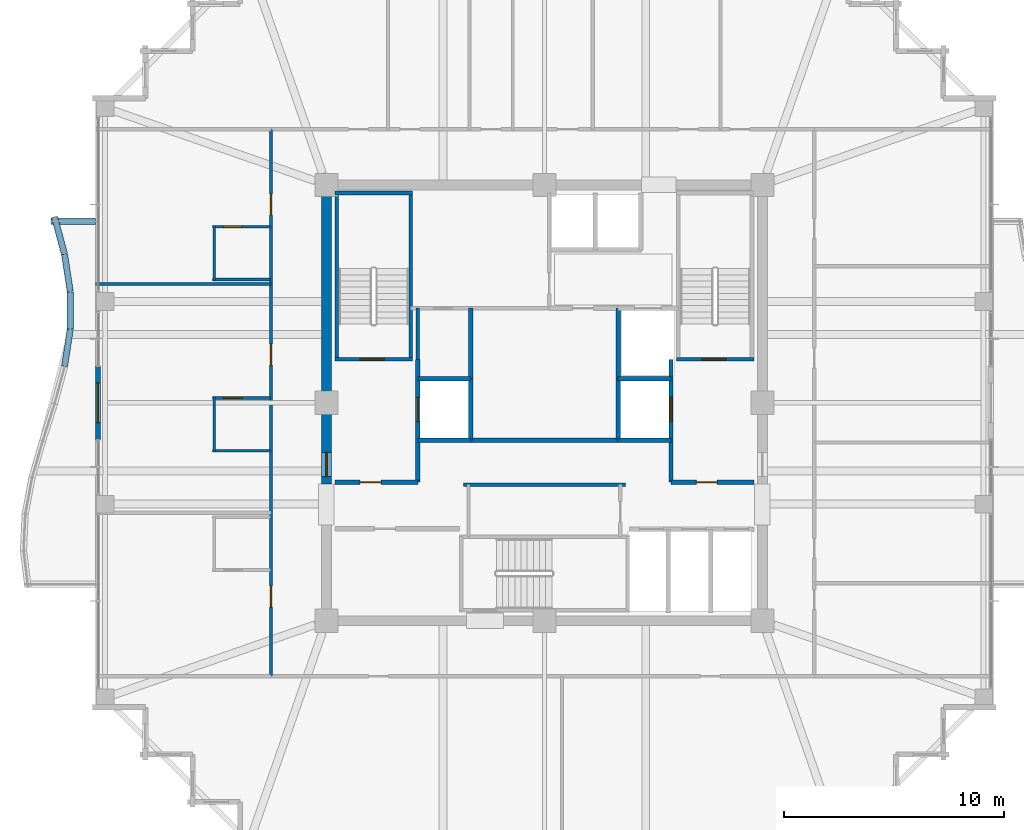
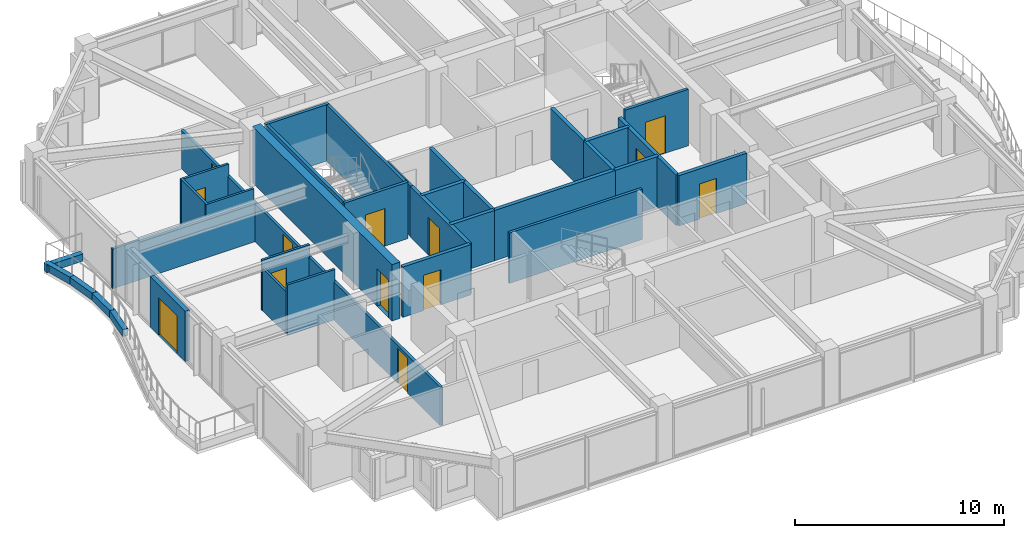
# One storey, part 29 of 34: 35 walls, 13 doors, 13 openings.
"""IFC4 building model written with IfcOpenShell, lengths in metres."""

from ifc_helpers import new_model, si_unit, direction, frame, frame_2d, origin, place, context, subcontext, project, spatial, rectangle, extrude, material, layer, layer_set, type_object, element, fill, save


model = new_model("IFC4")

# Units and contexts
model_context = context("Model", 3, precision=1e-05, world=origin(), true_north=direction((0.0, 1.0)))
body_context = subcontext(model_context, "Body", "Model", "MODEL_VIEW")
ifc_project = project(units=[si_unit("LENGTHUNIT", "METRE"), si_unit("AREAUNIT", "SQUARE_METRE"), si_unit("VOLUMEUNIT", "CUBIC_METRE"), si_unit("PLANEANGLEUNIT", "RADIAN"), si_unit("MASSUNIT", "GRAM", prefix="KILO")], contexts=[model_context])

# Site, building, storey
site_placement = place(None, origin())
site = spatial("IfcSite", under=ifc_project, at=site_placement, CompositionType="ELEMENT")
building_placement = place(site_placement, origin())
building = spatial("IfcBuilding", under=site, at=building_placement, Name="Kolvaren Belvedere", CompositionType="ELEMENT")
storey_placement = place(building_placement, frame((0.0, 0.0, 229.5)))
storey = spatial("IfcBuildingStorey", under=building, at=storey_placement, Name="L67", CompositionType="ELEMENT", Elevation=229.5)

# Wall, opening, door
ifc_material_1 = material(Name="Concrete C50/60", Category="concrete")
ifc_layer_1 = layer(ifc_material_1, 0.449951171875)
ifc_layer_set_1 = layer_set([ifc_layer_1], Name="Concrete C50/60")
wall_type_1 = type_object("IfcWallType", Name="CW-CORE-450", PredefinedType="SHEAR", material=ifc_layer_set_1)
wall_1_placement = place(storey_placement, frame((-9.89990234375, -3.699951171875, 0.0), z_axis=(0.0, 0.0, 1.0), x_axis=(0.0, 1.0, 0.0)))
wall_1 = element("IfcWall", 1, at=wall_1_placement, inside=storey, type_object=wall_type_1, Name="L67 West Core Shear Wall 2", PredefinedType="SHEAR", context=body_context, shape_type="SweptSolid", body=[
    extrude(rectangle(XDim=13.375, YDim=0.449951171875, at=frame_2d((6.6875, 0.0))), origin(), (0.0, 0.0, 1.0), 3.300048828125),
])
opening_1_placement = place(wall_1_placement, frame((0.35009765625, 0.0, 0.0)))
opening_1 = element("IfcOpeningElement", 2, at=opening_1_placement, cuts=wall_1, Name="Opening D-FD90", PredefinedType="OPENING", context=body_context, shape_type="SweptSolid", body=[
    extrude(rectangle(XDim=1.10009765625, YDim=2.199951171875, at=frame_2d((0.550048828125, 1.10009765625))), frame((0.0, 0.23486328125, 0.0), z_axis=(0.0, -1.0, 0.0), x_axis=(1.0, 0.0, 0.0)), (0.0, 0.0, 1.0), 0.469970703125),
])
ifc_material_2 = material(Name="Painted hollow stainless steel", Category="steel")
door_type_1 = type_object("IfcDoorType", Name="DR-FD90-1100", OperationType="NOTDEFINED", PredefinedType="DOOR", material=ifc_material_2)
door_1_placement = place(opening_1_placement, origin())
door_1 = element("IfcDoor", 3, at=door_1_placement, inside=storey, type_object=door_type_1, Name="L67 West Firefighting Lobby Fire Door", OperationType="SINGLE_SWING_LEFT", OverallHeight=2.199951171875, OverallWidth=1.10009765625, PredefinedType="DOOR", context=body_context, shape_type="SweptSolid", body=[
    extrude(rectangle(XDim=1.10009765625, YDim=2.199951171875, at=frame_2d((0.550048828125, 1.10009765625))), frame((0.0, 0.02490234375, 0.0), z_axis=(0.0, -1.0, 0.0), x_axis=(1.0, 0.0, 0.0)), (0.0, 0.0, 1.0), 0.050048828125),
])
fill(opening_1, door_1)

ifc_material_3 = material(Name="Concrete C50/60", Category="concrete")
ifc_layer_2 = layer(ifc_material_3, 0.159912109375)
ifc_layer_set_2 = layer_set([ifc_layer_2], Name="Concrete C50/60")
wall_type_2 = type_object("IfcWallType", Name="CW-STAIR-160", PredefinedType="SHEAR", material=ifc_layer_set_2)
wall_2_placement = place(storey_placement, frame((-9.52001953125, 1.969970703125, 0.0), z_axis=(0.0, 0.0, 1.0), x_axis=(1.0, 0.0, 0.0)))
wall_2 = element("IfcWall", 4, at=wall_2_placement, inside=storey, type_object=wall_type_2, Name="L67 Stair ST-1 South Shear Wall", PredefinedType="SHEAR", context=body_context, shape_type="SweptSolid", body=[
    extrude(rectangle(XDim=3.52001953125, YDim=0.159912109375, at=frame_2d((1.760009765625, 0.0))), origin(), (0.0, 0.0, 1.0), 3.300048828125),
])
opening_2_placement = place(wall_2_placement, frame((1.14990234375, 0.0, 0.0)))
opening_2 = element("IfcOpeningElement", 5, at=opening_2_placement, cuts=wall_2, Name="Opening D-FD90", PredefinedType="OPENING", context=body_context, shape_type="SweptSolid", body=[
    extrude(rectangle(XDim=1.10009765625, YDim=2.199951171875, at=frame_2d((0.550048828125, 1.10009765625))), frame((0.0, 0.08984375, 0.0), z_axis=(0.0, -1.0, 0.0), x_axis=(1.0, 0.0, 0.0)), (0.0, 0.0, 1.0), 0.179931640625),
])
door_2_placement = place(opening_2_placement, origin())
door_2 = element("IfcDoor", 6, at=door_2_placement, inside=storey, type_object=door_type_1, Name="L67 Stair ST-1 Fire Door", OperationType="SINGLE_SWING_LEFT", OverallHeight=2.199951171875, OverallWidth=1.10009765625, PredefinedType="DOOR", context=body_context, shape_type="SweptSolid", body=[
    extrude(rectangle(XDim=1.10009765625, YDim=2.199951171875, at=frame_2d((0.550048828125, 1.10009765625))), frame((0.0, 0.02490234375, 0.0), z_axis=(0.0, -1.0, 0.0), x_axis=(1.0, 0.0, 0.0)), (0.0, 0.0, 1.0), 0.050048828125),
])
fill(opening_2, door_2)

# Walls
wall_3_placement = place(storey_placement, frame((-9.52001953125, 9.530029296875, 0.0), z_axis=(0.0, 0.0, 1.0), x_axis=(1.0, 0.0, 0.0)))
element("IfcWall", 7, at=wall_3_placement, inside=storey, type_object=wall_type_2, Name="L67 Stair ST-1 North Shear Wall", PredefinedType="SHEAR", context=body_context, shape_type="SweptSolid", body=[
    extrude(rectangle(XDim=3.52001953125, YDim=0.159912109375, at=frame_2d((1.760009765625, 0.0))), origin(), (0.0, 0.0, 1.0), 3.300048828125),
])
for number, where, z_axis, x_axis, name in (
    (8, (-9.429931640625, 1.969970703125, 0.0), (0.0, 0.0, 1.0), (0.0, 1.0, 0.0), "L67 Stair ST-1 West Shear Wall"),
    (9, (-6.080078125, 1.969970703125, 0.0), (0.0, 0.0, 1.0), (0.0, 1.0, 0.0), "L67 Stair ST-1 East Shear Wall"),
):
    element("IfcWall", number, at=place(storey_placement, frame(where, z_axis=z_axis, x_axis=x_axis)), inside=storey, type_object=wall_type_2, Name=name, PredefinedType="SHEAR", context=body_context, shape_type="SweptSolid", body=[
        extrude(rectangle(XDim=7.56005859375, YDim=0.159912109375, at=frame_2d((3.780029296875, 0.0))), origin(), (0.0, 0.0, 1.0), 3.300048828125),
    ])

# Wall, opening, door
wall_4_placement = place(storey_placement, frame((6.0, 1.969970703125, 0.0), z_axis=(0.0, 0.0, 1.0), x_axis=(1.0, 0.0, 0.0)))
wall_4 = element("IfcWall", 10, at=wall_4_placement, inside=storey, type_object=wall_type_2, Name="L67 Stair ST-2 South Shear Wall", PredefinedType="SHEAR", context=body_context, shape_type="SweptSolid", body=[
    extrude(rectangle(XDim=3.52001953125, YDim=0.159912109375, at=frame_2d((1.760009765625, 0.0))), origin(), (0.0, 0.0, 1.0), 3.300048828125),
])
opening_3_placement = place(wall_4_placement, frame((1.14990234375, 0.0, 0.0)))
opening_3 = element("IfcOpeningElement", 11, at=opening_3_placement, cuts=wall_4, Name="Opening D-FD90", PredefinedType="OPENING", context=body_context, shape_type="SweptSolid", body=[
    extrude(rectangle(XDim=1.10009765625, YDim=2.199951171875, at=frame_2d((0.550048828125, 1.10009765625))), frame((0.0, 0.08984375, 0.0), z_axis=(0.0, -1.0, 0.0), x_axis=(1.0, 0.0, 0.0)), (0.0, 0.0, 1.0), 0.179931640625),
])
door_3_placement = place(opening_3_placement, origin())
door_3 = element("IfcDoor", 12, at=door_3_placement, inside=storey, type_object=door_type_1, Name="L67 Stair ST-2 Fire Door", OperationType="SINGLE_SWING_RIGHT", OverallHeight=2.199951171875, OverallWidth=1.10009765625, PredefinedType="DOOR", context=body_context, shape_type="SweptSolid", body=[
    extrude(rectangle(XDim=1.10009765625, YDim=2.199951171875, at=frame_2d((0.550048828125, 1.10009765625))), frame((0.0, 0.02490234375, 0.0), z_axis=(0.0, -1.0, 0.0), x_axis=(1.0, 0.0, 0.0)), (0.0, 0.0, 1.0), 0.050048828125),
])
fill(opening_3, door_3)

# Wall, openings, doors
ifc_material_4 = material(Name="Gypsum fire-rated partition assembly", Category="gypsum")
ifc_layer_3 = layer(ifc_material_4, 0.14990234375)
ifc_layer_set_3 = layer_set([ifc_layer_3], Name="Gypsum fire-rated partition assembly")
wall_type_3 = type_object("IfcWallType", Name="WL-CORR-150", PredefinedType="PARTITIONING", material=ifc_layer_set_3)
wall_5_placement = place(storey_placement, frame((-12.419921875, -12.419921875, 0.0), z_axis=(0.0, 0.0, 1.0), x_axis=(0.0, 1.0, 0.0)))
wall_5 = element("IfcWall", 13, at=wall_5_placement, inside=storey, type_object=wall_type_3, Name="L67 West Corridor Wall", PredefinedType="PARTITIONING", context=body_context, shape_type="SweptSolid", body=[
    extrude(rectangle(XDim=24.83984375, YDim=0.14990234375, at=frame_2d((12.419921875, 0.0))), origin(), (0.0, 0.0, 1.0), 2.239013671875),
])
opening_4_placement = place(wall_5_placement, frame((3.137451171875, 0.0, 0.0)))
opening_4 = element("IfcOpeningElement", 14, at=opening_4_placement, cuts=wall_5, Name="Opening D-FD60", PredefinedType="OPENING", context=body_context, shape_type="SweptSolid", body=[
    extrude(rectangle(XDim=0.949951171875, YDim=2.06005859375, at=frame_2d((0.47509765625, 1.030029296875))), frame((0.0, 0.0849609375, 0.0), z_axis=(0.0, -1.0, 0.0), x_axis=(1.0, 0.0, 0.0)), (0.0, 0.0, 1.0), 0.169921875),
])
opening_5_placement = place(wall_5_placement, frame((14.131103515625, 0.0, 0.0)))
opening_5 = element("IfcOpeningElement", 15, at=opening_5_placement, cuts=wall_5, Name="Opening D-FD60", PredefinedType="OPENING", context=body_context, shape_type="SweptSolid", body=[
    extrude(rectangle(XDim=0.949951171875, YDim=2.06005859375, at=frame_2d((0.47509765625, 1.030029296875))), frame((0.0, 0.0849609375, 0.0), z_axis=(0.0, -1.0, 0.0), x_axis=(1.0, 0.0, 0.0)), (0.0, 0.0, 1.0), 0.169921875),
])
opening_6_placement = place(wall_5_placement, frame((20.952392578125, 0.0, 0.0)))
opening_6 = element("IfcOpeningElement", 16, at=opening_6_placement, cuts=wall_5, Name="Opening D-FD60", PredefinedType="OPENING", context=body_context, shape_type="SweptSolid", body=[
    extrude(rectangle(XDim=0.949951171875, YDim=2.06005859375, at=frame_2d((0.47509765625, 1.030029296875))), frame((0.0, 0.0849609375, 0.0), z_axis=(0.0, -1.0, 0.0), x_axis=(1.0, 0.0, 0.0)), (0.0, 0.0, 1.0), 0.169921875),
])
ifc_material_5 = material(Name="Acoustic white-oak fire door leaf", Category="timber")
door_type_2 = type_object("IfcDoorType", Name="DR-FD60-950", OperationType="NOTDEFINED", PredefinedType="DOOR", material=ifc_material_5)
door_4_placement = place(opening_4_placement, origin())
door_4 = element("IfcDoor", 17, at=door_4_placement, inside=storey, type_object=door_type_2, Name="L67 Botanical Hospitality Suite 6707 Entry Door", OperationType="SINGLE_SWING_LEFT", OverallHeight=2.06005859375, OverallWidth=0.949951171875, PredefinedType="DOOR", context=body_context, shape_type="SweptSolid", body=[
    extrude(rectangle(XDim=0.949951171875, YDim=2.06005859375, at=frame_2d((0.47509765625, 1.030029296875))), frame((0.0, 0.02490234375, 0.0), z_axis=(0.0, -1.0, 0.0), x_axis=(1.0, 0.0, 0.0)), (0.0, 0.0, 1.0), 0.050048828125),
])
fill(opening_4, door_4)
door_5_placement = place(opening_5_placement, origin())
door_5 = element("IfcDoor", 18, at=door_5_placement, inside=storey, type_object=door_type_2, Name="L67 Botanical Hospitality Suite 6708 Entry Door", OperationType="SINGLE_SWING_LEFT", OverallHeight=2.06005859375, OverallWidth=0.949951171875, PredefinedType="DOOR", context=body_context, shape_type="SweptSolid", body=[
    extrude(rectangle(XDim=0.949951171875, YDim=2.06005859375, at=frame_2d((0.47509765625, 1.030029296875))), frame((0.0, 0.02490234375, 0.0), z_axis=(0.0, -1.0, 0.0), x_axis=(1.0, 0.0, 0.0)), (0.0, 0.0, 1.0), 0.050048828125),
])
fill(opening_5, door_5)
door_6_placement = place(opening_6_placement, origin())
door_6 = element("IfcDoor", 19, at=door_6_placement, inside=storey, type_object=door_type_2, Name="L67 King Guest Room 6709 Entry Door", OperationType="SINGLE_SWING_LEFT", OverallHeight=2.06005859375, OverallWidth=0.949951171875, PredefinedType="DOOR", context=body_context, shape_type="SweptSolid", body=[
    extrude(rectangle(XDim=0.949951171875, YDim=2.06005859375, at=frame_2d((0.47509765625, 1.030029296875))), frame((0.0, 0.02490234375, 0.0), z_axis=(0.0, -1.0, 0.0), x_axis=(1.0, 0.0, 0.0)), (0.0, 0.0, 1.0), 0.050048828125),
])
fill(opening_6, door_6)

# Wall, opening, door
ifc_material_6 = material(Name="Insulated pale-metal facade wall assembly", Category="aluminium")
ifc_layer_4 = layer(ifc_material_6, 0.239990234375)
ifc_layer_set_4 = layer_set([ifc_layer_4], Name="Insulated pale-metal facade wall assembly")
wall_type_4 = type_object("IfcWallType", Name="WL-EXT-240", PredefinedType="STANDARD", material=ifc_layer_set_4)
wall_6_placement = place(storey_placement, frame((-20.280029296875, -1.679931640625, 0.0), z_axis=(0.0, 0.0, 1.0), x_axis=(0.0, 1.0, 0.0)))
wall_6 = element("IfcWall", 20, at=wall_6_placement, inside=storey, type_object=wall_type_4, Name="L67 West Terrace Portal Wall", PredefinedType="STANDARD", context=body_context, shape_type="SweptSolid", body=[
    extrude(rectangle(XDim=3.35986328125, YDim=0.239990234375, at=frame_2d((1.679931640625, 0.0))), origin(), (0.0, 0.0, 1.0), 2.949951171875),
])
opening_7_placement = place(wall_6_placement, frame((0.780029296875, 0.0, 0.0)))
opening_7 = element("IfcOpeningElement", 21, at=opening_7_placement, cuts=wall_6, Name="Opening DB-1800", PredefinedType="OPENING", context=body_context, shape_type="SweptSolid", body=[
    extrude(rectangle(XDim=1.800048828125, YDim=2.199951171875, at=frame_2d((0.89990234375, 1.10009765625))), frame((0.0, 0.1298828125, 0.0), z_axis=(0.0, -1.0, 0.0), x_axis=(1.0, 0.0, 0.0)), (0.0, 0.0, 1.0), 0.260009765625),
])
ifc_material_7 = material(Name="Thermally broken pale-metal aluminium & low-iron glass", Category="aluminium")
door_type_3 = type_object("IfcDoorType", Name="DR-BAL-1800", OperationType="DOUBLE_DOOR_SLIDING", PredefinedType="DOOR", material=ifc_material_7)
door_7_placement = place(opening_7_placement, origin())
door_7 = element("IfcDoor", 22, at=door_7_placement, inside=storey, type_object=door_type_3, Name="L67 West Planted Terrace Sliding Door", OperationType="DOUBLE_DOOR_SLIDING", OverallHeight=2.199951171875, OverallWidth=1.800048828125, PredefinedType="DOOR", context=body_context, shape_type="SweptSolid", body=[
    extrude(rectangle(XDim=1.800048828125, YDim=2.199951171875, at=frame_2d((0.89990234375, 1.10009765625))), frame((0.0, 0.02490234375, 0.0), z_axis=(0.0, -1.0, 0.0), x_axis=(1.0, 0.0, 0.0)), (0.0, 0.0, 1.0), 0.050048828125),
])
fill(opening_7, door_7)

# Walls
ifc_material_8 = material(Name="Gypsum acoustic partition assembly", Category="gypsum")
ifc_layer_5 = layer(ifc_material_8, 0.14990234375)
ifc_layer_set_5 = layer_set([ifc_layer_5], Name="Gypsum acoustic partition assembly")
wall_type_5 = type_object("IfcWallType", Name="WL-PART-150", PredefinedType="PARTITIONING", material=ifc_layer_set_5)
wall_7_placement = place(storey_placement, frame((-3.679931640625, -3.719970703125, 0.0), z_axis=(0.0, 0.0, 1.0), x_axis=(1.0, 0.0, 0.0)))
element("IfcWall", 23, at=wall_7_placement, inside=storey, type_object=wall_type_5, Name="L67 South Core Service North Wall", PredefinedType="PARTITIONING", context=body_context, shape_type="SweptSolid", body=[
    extrude(rectangle(XDim=7.35986328125, YDim=0.14990234375, at=frame_2d((3.679931640625, 0.0))), origin(), (0.0, 0.0, 1.0), 2.949951171875),
])
wall_8_placement = place(storey_placement, frame((-5.75, 1.969970703125, 0.0), z_axis=(0.0, 0.0, 1.0), x_axis=(0.0, 1.0, 0.0)))
element("IfcWall", 24, at=wall_8_placement, inside=storey, type_object=wall_type_5, Name="L67 NW Service Room West Wall", PredefinedType="PARTITIONING", context=body_context, shape_type="SweptSolid", body=[
    extrude(rectangle(XDim=2.330078125, YDim=0.14990234375, at=frame_2d((1.1650390625, 0.0))), origin(), (0.0, 0.0, 1.0), 2.949951171875),
])
wall_9_placement = place(storey_placement, frame((-20.3798828125, 5.39990234375, 0.0), z_axis=(0.0, 0.0, 1.0), x_axis=(1.0, 0.0, 0.0)))
element("IfcWall", 25, at=wall_9_placement, inside=storey, type_object=wall_type_5, Name="L67 West Suite Demising Wall 2", PredefinedType="PARTITIONING", context=body_context, shape_type="SweptSolid", body=[
    extrude(rectangle(XDim=7.9599609375, YDim=0.14990234375, at=frame_2d((3.97998046875, 0.0))), origin(), (0.0, 0.0, 1.0), 2.322998046875),
])
ifc_material_9 = material(Name="Precast concrete C40/50", Category="concrete")
ifc_layer_6 = layer(ifc_material_9, 0.300048828125)
ifc_layer_set_6 = layer_set([ifc_layer_6], Name="Precast concrete C40/50")
wall_type_6 = type_object("IfcWallType", Name="WL-PLANTER-300", PredefinedType="PARAPET", material=ifc_layer_set_6)
wall_10_placement = place(storey_placement, frame((-22.251708984375, 8.441650390625, -0.0400390625), z_axis=(0.0, 0.0, 1.0), x_axis=(0.260682852326, -0.965424492388, 0.0)))
element("IfcWall", 26, at=wall_10_placement, inside=storey, type_object=wall_type_6, Name="L67 Precast Structural Planter Wall BAL-W-1", PredefinedType="PARAPET", context=body_context, shape_type="SweptSolid", body=[
    extrude(rectangle(XDim=1.739990234375, YDim=0.280029296875, at=frame_2d((0.8701171875, 0.0))), origin(), (0.0, 0.0, 1.0), 0.419921875),
])
wall_11_placement = place(storey_placement, frame((-21.794677734375, 6.744384765625, -0.0400390625), z_axis=(0.0, 0.0, 1.0), x_axis=(0.152251460091, -0.988341789514, 0.0)))
element("IfcWall", 27, at=wall_11_placement, inside=storey, type_object=wall_type_6, Name="L67 Precast Structural Planter Wall BAL-W-2", PredefinedType="PARAPET", context=body_context, shape_type="SweptSolid", body=[
    extrude(rectangle(XDim=1.69970703125, YDim=0.280029296875, at=frame_2d((0.849853515625, 0.0))), origin(), (0.0, 0.0, 1.0), 0.419921875),
])
wall_12_placement = place(storey_placement, frame((-21.533935546875, 5.0400390625, -0.0400390625), z_axis=(0.0, 0.0, 1.0), x_axis=(0.0, -1.0, 0.0)))
element("IfcWall", 28, at=wall_12_placement, inside=storey, type_object=wall_type_6, Name="L67 Precast Structural Planter Wall BAL-W-3", PredefinedType="PARAPET", context=body_context, shape_type="SweptSolid", body=[
    extrude(rectangle(XDim=1.679931640625, YDim=0.280029296875, at=frame_2d((0.83984375, 0.0))), origin(), (0.0, 0.0, 1.0), 0.419921875),
])
wall_13_placement = place(storey_placement, frame((-21.535888671875, 3.335693359375, -0.0400390625), z_axis=(0.0, 0.0, 1.0), x_axis=(-0.152229849666, -0.988345118302, 0.0)))
element("IfcWall", 29, at=wall_13_placement, inside=storey, type_object=wall_type_6, Name="L67 Precast Structural Planter Wall BAL-W-4", PredefinedType="PARAPET", context=body_context, shape_type="SweptSolid", body=[
    extrude(rectangle(XDim=1.699951171875, YDim=0.280029296875, at=frame_2d((0.85009765625, 0.0))), origin(), (0.0, 0.0, 1.0), 0.419921875),
])
wall_14_placement = place(storey_placement, frame((-20.39990234375, 8.239990234375, -0.0400390625), z_axis=(0.0, 0.0, 1.0), x_axis=(-1.0, 0.0, 0.0)))
element("IfcWall", 30, at=wall_14_placement, inside=storey, type_object=wall_type_6, Name="L67 Precast Structural Planter Wall BAL-W-22", PredefinedType="PARAPET", context=body_context, shape_type="SweptSolid", body=[
    extrude(rectangle(XDim=2.00634765625, YDim=0.280029296875, at=frame_2d((1.003173828125, 0.0))), origin(), (0.0, 0.0, 1.0), 0.419921875),
])

# Wall, opening, door
ifc_material_10 = material(Name="Concrete C50/60", Category="concrete")
ifc_layer_7 = layer(ifc_material_10, 0.199951171875)
ifc_layer_set_7 = layer_set([ifc_layer_7], Name="Concrete C50/60")
wall_type_7 = type_object("IfcWallType", Name="WL-SHAFT-200", PredefinedType="SOLIDWALL", material=ifc_layer_set_7)
wall_15_placement = place(storey_placement, frame((-9.52001953125, -3.60009765625, 0.0), z_axis=(0.0, 0.0, 1.0), x_axis=(1.0, 0.0, 0.0)))
wall_15 = element("IfcWall", 31, at=wall_15_placement, inside=storey, type_object=wall_type_7, Name="L67 West FSAE Lobby South Wall", PredefinedType="SOLIDWALL", context=body_context, shape_type="SweptSolid", body=[
    extrude(rectangle(XDim=3.77001953125, YDim=0.199951171875, at=frame_2d((1.885009765625, 0.0))), origin(), (0.0, 0.0, 1.0), 2.949951171875),
])
opening_8_placement = place(wall_15_placement, frame((1.14990234375, 0.0, 0.0)))
opening_8 = element("IfcOpeningElement", 32, at=opening_8_placement, cuts=wall_15, Name="Opening D-FD60", PredefinedType="OPENING", context=body_context, shape_type="SweptSolid", body=[
    extrude(rectangle(XDim=0.949951171875, YDim=2.06005859375, at=frame_2d((0.47509765625, 1.030029296875))), frame((0.0, 0.10986328125, 0.0), z_axis=(0.0, -1.0, 0.0), x_axis=(1.0, 0.0, 0.0)), (0.0, 0.0, 1.0), 0.219970703125),
])
door_8_placement = place(opening_8_placement, origin())
door_8 = element("IfcDoor", 33, at=door_8_placement, inside=storey, type_object=door_type_2, Name="L67 SW Lobby Fire Door", OperationType="SINGLE_SWING_LEFT", OverallHeight=2.06005859375, OverallWidth=0.949951171875, PredefinedType="DOOR", context=body_context, shape_type="SweptSolid", body=[
    extrude(rectangle(XDim=0.949951171875, YDim=2.06005859375, at=frame_2d((0.47509765625, 1.030029296875))), frame((0.0, 0.02490234375, 0.0), z_axis=(0.0, -1.0, 0.0), x_axis=(1.0, 0.0, 0.0)), (0.0, 0.0, 1.0), 0.050048828125),
])
fill(opening_8, door_8)

wall_16_placement = place(storey_placement, frame((-5.75, -3.60009765625, 0.0), z_axis=(0.0, 0.0, 1.0), x_axis=(0.0, 1.0, 0.0)))
wall_16 = element("IfcWall", 34, at=wall_16_placement, inside=storey, type_object=wall_type_7, Name="L67 FSAE FS1 Landing Wall", PredefinedType="SOLIDWALL", context=body_context, shape_type="SweptSolid", body=[
    extrude(rectangle(XDim=5.570068359375, YDim=0.199951171875, at=frame_2d((2.78515625, 0.0))), origin(), (0.0, 0.0, 1.0), 2.949951171875),
])
opening_9_placement = place(wall_16_placement, frame((2.75, 0.0, 0.0)))
opening_9 = element("IfcOpeningElement", 35, at=opening_9_placement, cuts=wall_16, Name="Opening LD-11", PredefinedType="OPENING", context=body_context, shape_type="SweptSolid", body=[
    extrude(rectangle(XDim=1.10009765625, YDim=2.199951171875, at=frame_2d((0.550048828125, 1.10009765625))), frame((0.0, 0.10986328125, 0.0), z_axis=(0.0, -1.0, 0.0), x_axis=(1.0, 0.0, 0.0)), (0.0, 0.0, 1.0), 0.219970703125),
])
ifc_material_11 = material(Name="Brushed stainless steel", Category="steel")
door_type_4 = type_object("IfcDoorType", Name="DR-LIFT-1100", OperationType="DOUBLE_DOOR_SLIDING", PredefinedType="DOOR", material=ifc_material_11)
door_9_placement = place(opening_9_placement, origin())
door_9 = element("IfcDoor", 36, at=door_9_placement, inside=storey, type_object=door_type_4, Name="L67 Firefighting Lift FS1 Landing Door", OperationType="DOUBLE_DOOR_SLIDING", OverallHeight=2.199951171875, OverallWidth=1.10009765625, PredefinedType="DOOR", context=body_context, shape_type="SweptSolid", body=[
    extrude(rectangle(XDim=1.10009765625, YDim=2.199951171875, at=frame_2d((0.550048828125, 1.10009765625))), frame((0.0, 0.02490234375, 0.0), z_axis=(0.0, -1.0, 0.0), x_axis=(1.0, 0.0, 0.0)), (0.0, 0.0, 1.0), 0.050048828125),
])
fill(opening_9, door_9)

# Walls
wall_17_placement = place(storey_placement, frame((-3.35009765625, -1.699951171875, 0.0), z_axis=(0.0, 0.0, 1.0), x_axis=(0.0, 1.0, 0.0)))
element("IfcWall", 37, at=wall_17_placement, inside=storey, type_object=wall_type_7, Name="L67 FSAE FS1 Back Wall", PredefinedType="SOLIDWALL", context=body_context, shape_type="SweptSolid", body=[
    extrude(rectangle(XDim=2.800048828125, YDim=0.199951171875, at=frame_2d((1.39990234375, 0.0))), origin(), (0.0, 0.0, 1.0), 2.949951171875),
])
for number, where, z_axis, x_axis, name in (
    (38, (-5.75, -1.699951171875, 0.0), (0.0, 0.0, 1.0), (1.0, 0.0, 0.0), "L67 FSAE FS1 South Wall"),
    (39, (-5.75, 1.10009765625, 0.0), (0.0, 0.0, 1.0), (1.0, 0.0, 0.0), "L67 FSAE FS1 North Wall"),
):
    element("IfcWall", number, at=place(storey_placement, frame(where, z_axis=z_axis, x_axis=x_axis)), inside=storey, type_object=wall_type_7, Name=name, PredefinedType="SOLIDWALL", context=body_context, shape_type="SweptSolid", body=[
        extrude(rectangle(XDim=2.39990234375, YDim=0.199951171875, at=frame_2d((1.199951171875, 0.0))), origin(), (0.0, 0.0, 1.0), 2.949951171875),
    ])

# Wall, opening, door
wall_18_placement = place(storey_placement, frame((5.75, -3.60009765625, 0.0), z_axis=(0.0, 0.0, 1.0), x_axis=(1.0, 0.0, 0.0)))
wall_18 = element("IfcWall", 40, at=wall_18_placement, inside=storey, type_object=wall_type_7, Name="L67 East FSAE Lobby South Wall", PredefinedType="SOLIDWALL", context=body_context, shape_type="SweptSolid", body=[
    extrude(rectangle(XDim=3.77001953125, YDim=0.199951171875, at=frame_2d((1.885009765625, 0.0))), origin(), (0.0, 0.0, 1.0), 2.949951171875),
])
opening_10_placement = place(wall_18_placement, frame((1.14990234375, 0.0, 0.0)))
opening_10 = element("IfcOpeningElement", 41, at=opening_10_placement, cuts=wall_18, Name="Opening D-FD60", PredefinedType="OPENING", context=body_context, shape_type="SweptSolid", body=[
    extrude(rectangle(XDim=0.949951171875, YDim=2.06005859375, at=frame_2d((0.47509765625, 1.030029296875))), frame((0.0, 0.10986328125, 0.0), z_axis=(0.0, -1.0, 0.0), x_axis=(1.0, 0.0, 0.0)), (0.0, 0.0, 1.0), 0.219970703125),
])
door_10_placement = place(opening_10_placement, origin())
door_10 = element("IfcDoor", 42, at=door_10_placement, inside=storey, type_object=door_type_2, Name="L67 SE Lift Lobby Fire Door", OperationType="SINGLE_SWING_RIGHT", OverallHeight=2.06005859375, OverallWidth=0.949951171875, PredefinedType="DOOR", context=body_context, shape_type="SweptSolid", body=[
    extrude(rectangle(XDim=0.949951171875, YDim=2.06005859375, at=frame_2d((0.47509765625, 1.030029296875))), frame((0.0, 0.02490234375, 0.0), z_axis=(0.0, -1.0, 0.0), x_axis=(1.0, 0.0, 0.0)), (0.0, 0.0, 1.0), 0.050048828125),
])
fill(opening_10, door_10)

wall_19_placement = place(storey_placement, frame((5.75, -3.60009765625, 0.0), z_axis=(0.0, 0.0, 1.0), x_axis=(0.0, 1.0, 0.0)))
wall_19 = element("IfcWall", 43, at=wall_19_placement, inside=storey, type_object=wall_type_7, Name="L67 FSAE FS2 Landing Wall", PredefinedType="SOLIDWALL", context=body_context, shape_type="SweptSolid", body=[
    extrude(rectangle(XDim=5.570068359375, YDim=0.199951171875, at=frame_2d((2.78515625, 0.0))), origin(), (0.0, 0.0, 1.0), 2.949951171875),
])
opening_11_placement = place(wall_19_placement, frame((2.75, 0.0, 0.0)))
opening_11 = element("IfcOpeningElement", 44, at=opening_11_placement, cuts=wall_19, Name="Opening LD-11", PredefinedType="OPENING", context=body_context, shape_type="SweptSolid", body=[
    extrude(rectangle(XDim=1.10009765625, YDim=2.199951171875, at=frame_2d((0.550048828125, 1.10009765625))), frame((0.0, 0.10986328125, 0.0), z_axis=(0.0, -1.0, 0.0), x_axis=(1.0, 0.0, 0.0)), (0.0, 0.0, 1.0), 0.219970703125),
])
door_11_placement = place(opening_11_placement, origin())
door_11 = element("IfcDoor", 45, at=door_11_placement, inside=storey, type_object=door_type_4, Name="L67 Firefighting Lift FS2 Landing Door", OperationType="DOUBLE_DOOR_SLIDING", OverallHeight=2.199951171875, OverallWidth=1.10009765625, PredefinedType="DOOR", context=body_context, shape_type="SweptSolid", body=[
    extrude(rectangle(XDim=1.10009765625, YDim=2.199951171875, at=frame_2d((0.550048828125, 1.10009765625))), frame((0.0, 0.02490234375, 0.0), z_axis=(0.0, -1.0, 0.0), x_axis=(1.0, 0.0, 0.0)), (0.0, 0.0, 1.0), 0.050048828125),
])
fill(opening_11, door_11)

# Walls
wall_20_placement = place(storey_placement, frame((3.35009765625, -1.699951171875, 0.0), z_axis=(0.0, 0.0, 1.0), x_axis=(0.0, 1.0, 0.0)))
element("IfcWall", 46, at=wall_20_placement, inside=storey, type_object=wall_type_7, Name="L67 FSAE FS2 Back Wall", PredefinedType="SOLIDWALL", context=body_context, shape_type="SweptSolid", body=[
    extrude(rectangle(XDim=2.800048828125, YDim=0.199951171875, at=frame_2d((1.39990234375, 0.0))), origin(), (0.0, 0.0, 1.0), 2.949951171875),
])
for number, where, z_axis, x_axis, name in (
    (47, (3.35009765625, -1.699951171875, 0.0), (0.0, 0.0, 1.0), (1.0, 0.0, 0.0), "L67 FSAE FS2 South Wall"),
    (48, (3.35009765625, 1.10009765625, 0.0), (0.0, 0.0, 1.0), (1.0, 0.0, 0.0), "L67 FSAE FS2 North Wall"),
):
    element("IfcWall", number, at=place(storey_placement, frame(where, z_axis=z_axis, x_axis=x_axis)), inside=storey, type_object=wall_type_7, Name=name, PredefinedType="SOLIDWALL", context=body_context, shape_type="SweptSolid", body=[
        extrude(rectangle(XDim=2.39990234375, YDim=0.199951171875, at=frame_2d((1.199951171875, 0.0))), origin(), (0.0, 0.0, 1.0), 2.949951171875),
    ])
wall_21_placement = place(storey_placement, frame((-3.35009765625, -1.699951171875, 0.0), z_axis=(0.0, 0.0, 1.0), x_axis=(1.0, 0.0, 0.0)))
element("IfcWall", 49, at=wall_21_placement, inside=storey, type_object=wall_type_7, Name="L67 Central Core Room South Wall", PredefinedType="SOLIDWALL", context=body_context, shape_type="SweptSolid", body=[
    extrude(rectangle(XDim=6.7001953125, YDim=0.199951171875, at=frame_2d((3.35009765625, 0.0))), origin(), (0.0, 0.0, 1.0), 2.949951171875),
])
for number, where, z_axis, x_axis, name in (
    (50, (-3.35009765625, 1.10009765625, 0.0), (0.0, 0.0, 1.0), (0.0, 1.0, 0.0), "L67 Central Core Room West Wall"),
    (51, (3.35009765625, 1.10009765625, 0.0), (0.0, 0.0, 1.0), (0.0, 1.0, 0.0), "L67 Central Core Room East Wall"),
):
    element("IfcWall", number, at=place(storey_placement, frame(where, z_axis=z_axis, x_axis=x_axis)), inside=storey, type_object=wall_type_7, Name=name, PredefinedType="SOLIDWALL", context=body_context, shape_type="SweptSolid", body=[
        extrude(rectangle(XDim=3.199951171875, YDim=0.199951171875, at=frame_2d((1.60009765625, 0.0))), origin(), (0.0, 0.0, 1.0), 2.949951171875),
    ])

# Wall, opening, door
ifc_material_12 = material(Name="Moisture-resistant gypsum partition", Category="gypsum")
ifc_layer_8 = layer(ifc_material_12, 0.125)
ifc_layer_set_8 = layer_set([ifc_layer_8], Name="Moisture-resistant gypsum partition")
wall_type_8 = type_object("IfcWallType", Name="WL-WET-125", PredefinedType="PARTITIONING", material=ifc_layer_set_8)
wall_22_placement = place(storey_placement, frame((-15.074951171875, 0.221923828125, 0.0), z_axis=(0.0, 0.0, 1.0), x_axis=(1.0, 0.0, 0.0)))
wall_22 = element("IfcWall", 52, at=wall_22_placement, inside=storey, type_object=wall_type_8, Name="L67 Bathroom Partition PW-L67-BTH-8-N", PredefinedType="PARTITIONING", context=body_context, shape_type="SweptSolid", body=[
    extrude(rectangle(XDim=2.639892578125, YDim=0.125, at=frame_2d((1.31982421875, 0.0))), origin(), (0.0, 0.0, 1.0), 2.949951171875),
])
opening_12_placement = place(wall_22_placement, frame((0.5, 0.0, 0.0)))
opening_12 = element("IfcOpeningElement", 53, at=opening_12_placement, cuts=wall_22, Name="Opening D-BTH85", PredefinedType="OPENING", context=body_context, shape_type="SweptSolid", body=[
    extrude(rectangle(XDim=0.85009765625, YDim=2.030029296875, at=frame_2d((0.425048828125, 1.01513671875))), frame((0.0, 0.072509765625, 0.0), z_axis=(0.0, -1.0, 0.0), x_axis=(1.0, 0.0, 0.0)), (0.0, 0.0, 1.0), 0.14501953125),
])
ifc_material_13 = material(Name="Moisture-sealed Pacific white oak", Category="timber")
door_type_5 = type_object("IfcDoorType", Name="DR-BATH-850", OperationType="NOTDEFINED", PredefinedType="DOOR", material=ifc_material_13)
door_12_placement = place(opening_12_placement, origin())
door_12 = element("IfcDoor", 54, at=door_12_placement, inside=storey, type_object=door_type_5, Name="L67 En-Suite Bathroom 6708 Door", OperationType="SINGLE_SWING_RIGHT", OverallHeight=2.030029296875, OverallWidth=0.85009765625, PredefinedType="DOOR", context=body_context, shape_type="SweptSolid", body=[
    extrude(rectangle(XDim=0.85009765625, YDim=2.030029296875, at=frame_2d((0.425048828125, 1.01513671875))), frame((0.0, 0.02490234375, 0.0), z_axis=(0.0, -1.0, 0.0), x_axis=(1.0, 0.0, 0.0)), (0.0, 0.0, 1.0), 0.050048828125),
])
fill(opening_12, door_12)

# Walls
wall_23_placement = place(storey_placement, frame((-14.9951171875, -2.238037109375, 0.0), z_axis=(0.0, 0.0, 1.0), x_axis=(0.0, 1.0, 0.0)))
element("IfcWall", 55, at=wall_23_placement, inside=storey, type_object=wall_type_8, Name="L67 Bathroom Partition PW-L67-BTH-8-V", PredefinedType="PARTITIONING", context=body_context, shape_type="SweptSolid", body=[
    extrude(rectangle(XDim=2.52001953125, YDim=0.125, at=frame_2d((1.260009765625, 0.0))), origin(), (0.0, 0.0, 1.0), 2.47509765625),
])
wall_24_placement = place(storey_placement, frame((-15.074951171875, -2.177978515625, 0.0), z_axis=(0.0, 0.0, 1.0), x_axis=(1.0, 0.0, 0.0)))
element("IfcWall", 56, at=wall_24_placement, inside=storey, type_object=wall_type_8, Name="L67 Bathroom Partition PW-L67-BTH-8-S", PredefinedType="PARTITIONING", context=body_context, shape_type="SweptSolid", body=[
    extrude(rectangle(XDim=2.639892578125, YDim=0.125, at=frame_2d((1.31982421875, 0.0))), origin(), (0.0, 0.0, 1.0), 2.949951171875),
])

# Wall, opening, door
wall_25_placement = place(storey_placement, frame((-15.074951171875, 7.9951171875, 0.0), z_axis=(0.0, 0.0, 1.0), x_axis=(1.0, 0.0, 0.0)))
wall_25 = element("IfcWall", 57, at=wall_25_placement, inside=storey, type_object=wall_type_8, Name="L67 Bathroom Partition PW-L67-BTH-9-N", PredefinedType="PARTITIONING", context=body_context, shape_type="SweptSolid", body=[
    extrude(rectangle(XDim=2.639892578125, YDim=0.125, at=frame_2d((1.31982421875, 0.0))), origin(), (0.0, 0.0, 1.0), 2.949951171875),
])
opening_13_placement = place(wall_25_placement, frame((0.5, 0.0, 0.0)))
opening_13 = element("IfcOpeningElement", 58, at=opening_13_placement, cuts=wall_25, Name="Opening D-BTH85", PredefinedType="OPENING", context=body_context, shape_type="SweptSolid", body=[
    extrude(rectangle(XDim=0.85009765625, YDim=2.030029296875, at=frame_2d((0.425048828125, 1.01513671875))), frame((0.0, 0.072509765625, 0.0), z_axis=(0.0, -1.0, 0.0), x_axis=(1.0, 0.0, 0.0)), (0.0, 0.0, 1.0), 0.14501953125),
])
door_13_placement = place(opening_13_placement, origin())
door_13 = element("IfcDoor", 59, at=door_13_placement, inside=storey, type_object=door_type_5, Name="L67 En-Suite Bathroom 6709 Door", OperationType="SINGLE_SWING_RIGHT", OverallHeight=2.030029296875, OverallWidth=0.85009765625, PredefinedType="DOOR", context=body_context, shape_type="SweptSolid", body=[
    extrude(rectangle(XDim=0.85009765625, YDim=2.030029296875, at=frame_2d((0.425048828125, 1.01513671875))), frame((0.0, 0.02490234375, 0.0), z_axis=(0.0, -1.0, 0.0), x_axis=(1.0, 0.0, 0.0)), (0.0, 0.0, 1.0), 0.050048828125),
])
fill(opening_13, door_13)

# Walls
wall_26_placement = place(storey_placement, frame((-14.9951171875, 5.534912109375, 0.0), z_axis=(0.0, 0.0, 1.0), x_axis=(0.0, 1.0, 0.0)))
element("IfcWall", 60, at=wall_26_placement, inside=storey, type_object=wall_type_8, Name="L67 Bathroom Partition PW-L67-BTH-9-V", PredefinedType="PARTITIONING", context=body_context, shape_type="SweptSolid", body=[
    extrude(rectangle(XDim=2.52001953125, YDim=0.125, at=frame_2d((1.260009765625, 0.0))), origin(), (0.0, 0.0, 1.0), 2.949951171875),
])
wall_27_placement = place(storey_placement, frame((-15.074951171875, 5.594970703125, 0.0), z_axis=(0.0, 0.0, 1.0), x_axis=(1.0, 0.0, 0.0)))
element("IfcWall", 61, at=wall_27_placement, inside=storey, type_object=wall_type_8, Name="L67 Bathroom Partition PW-L67-BTH-9-S", PredefinedType="PARTITIONING", context=body_context, shape_type="SweptSolid", body=[
    extrude(rectangle(XDim=2.639892578125, YDim=0.125, at=frame_2d((1.31982421875, 0.0))), origin(), (0.0, 0.0, 1.0), 2.949951171875),
])

save(model, "model.ifc")
